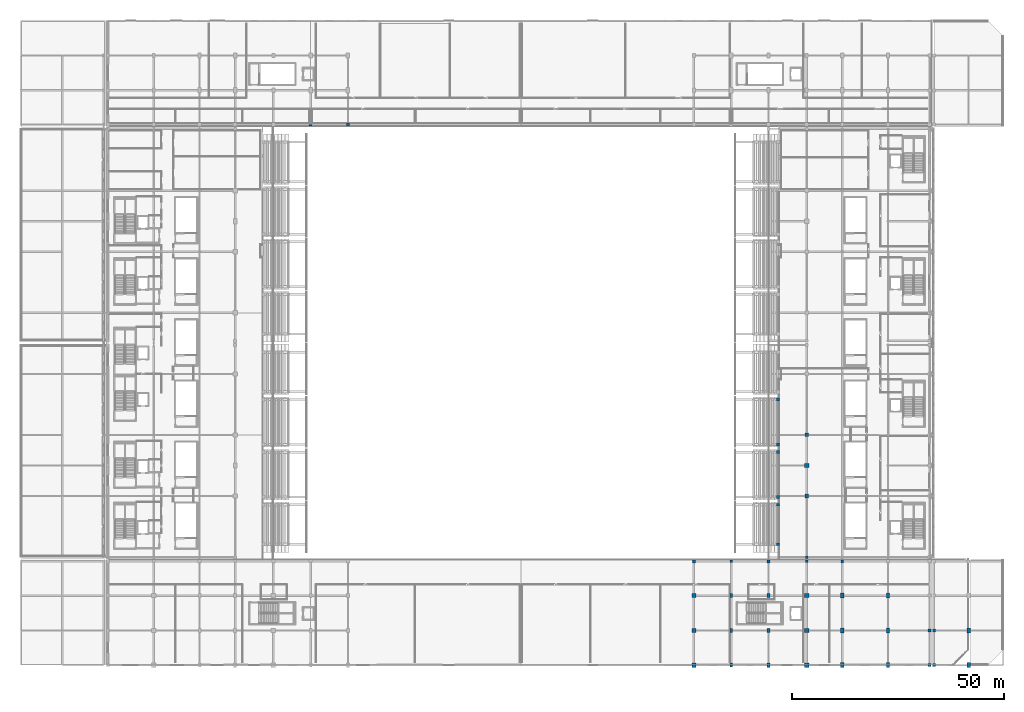
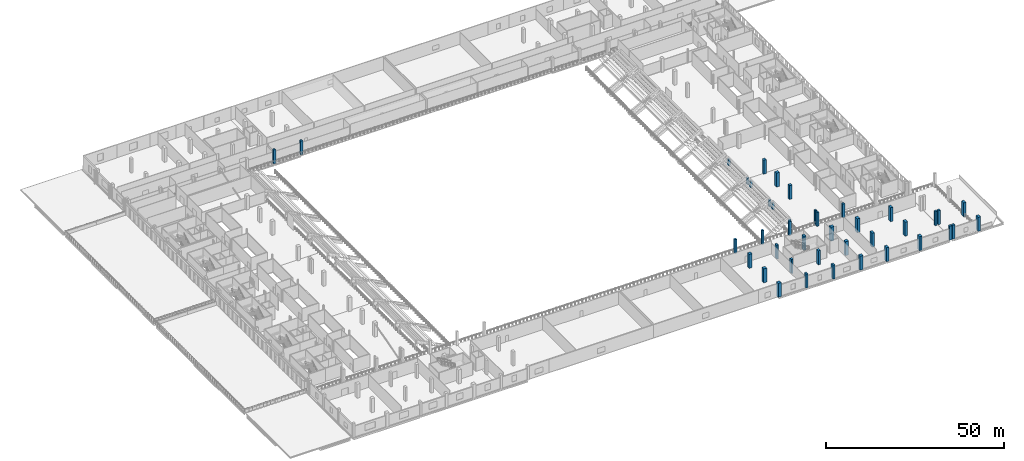
# One storey, part 6 of 74: 41 columns.
"""IFC4 building model written with IfcOpenShell, lengths in metres."""

from ifc_helpers import new_model, si_unit, direction, frame, origin, origin_2d, place, context, subcontext, project, spatial, rectangle, extrude, material, material_profile, profile_set, type_object, element, save


model = new_model("IFC4")

# Units and contexts
model_context = context("Model", 3, precision=1e-05, world=origin(), true_north=direction((0.0, 1.0)))
body_context = subcontext(model_context, "Body", "Model", "MODEL_VIEW")
ifc_project = project(units=[si_unit("LENGTHUNIT", "METRE"), si_unit("AREAUNIT", "SQUARE_METRE"), si_unit("VOLUMEUNIT", "CUBIC_METRE"), si_unit("PLANEANGLEUNIT", "RADIAN"), si_unit("MASSUNIT", "GRAM", prefix="KILO")], contexts=[model_context])

# Site, building, storey
site_placement = place(None, origin())
site = spatial("IfcSite", under=ifc_project, at=site_placement, CompositionType="ELEMENT")
building_placement = place(site_placement, origin())
building = spatial("IfcBuilding", under=site, at=building_placement, Name="Koshinbarg Plaza Stadium", CompositionType="ELEMENT")
storey_placement = place(building_placement, frame((0.0, 0.0, 15.0)))
storey = spatial("IfcBuildingStorey", under=building, at=storey_placement, Name="L03", CompositionType="ELEMENT", Elevation=15.0)

# Columns
ifc_material = material(Name="Concrete C40/50", Category="concrete")
ifc_material_profile_1 = material_profile(ifc_material, rectangle(XDim=0.60009765625, YDim=0.60009765625, at=origin_2d()), Name="RC 600x600")
ifc_profile_set_1 = profile_set([ifc_material_profile_1], Name="Concrete C40/50")
column_type_1 = type_object("IfcColumnType", Name="COL-RC-04", PredefinedType="COLUMN", material=ifc_profile_set_1)
column_placement = place(storey_placement, frame((189.39990234375, 25.5, 0.0), z_axis=(0.0, 0.0, 1.0), x_axis=(1.0, 0.0, 0.0)))
element("IfcColumn", 1, at=column_placement, inside=storey, type_object=column_type_1, Name="L03 column 18/E", PredefinedType="COLUMN", context=body_context, shape_type="SweptSolid", body=[
    extrude(rectangle(XDim=0.60009765625, YDim=0.60009765625, at=origin_2d()), origin(), (0.0, 0.0, 1.0), 4.800048828125),
])
ifc_material_profile_2 = material_profile(ifc_material, rectangle(XDim=0.64990234375, YDim=0.64990234375, at=origin_2d()), Name="RC 650x650")
ifc_profile_set_2 = profile_set([ifc_material_profile_2], Name="Concrete C40/50")
column_type_2 = type_object("IfcColumnType", Name="COL-RC-05", PredefinedType="COLUMN", material=ifc_profile_set_2)
for number, where, z_axis, x_axis, name in (
    (2, (171.60009765625, 24.5, 0.0), (0.0, 0.0, 1.0), (1.0, 0.0, 0.0), "L03 column 16/D"),
    (3, (189.39990234375, 24.5, 0.0), (0.0, 0.0, 1.0), (1.0, 0.0, 0.0), "L03 column 18/D"),
):
    element("IfcColumn", number, at=place(storey_placement, frame(where, z_axis=z_axis, x_axis=x_axis)), inside=storey, type_object=column_type_2, Name=name, PredefinedType="COLUMN", context=body_context, shape_type="SweptSolid", body=[
        extrude(rectangle(XDim=0.64990234375, YDim=0.64990234375, at=origin_2d()), origin(), (0.0, 0.0, 1.0), 4.800048828125),
    ])
for number, where, z_axis, x_axis, name in (
    (4, (182.659912109375, 28.5, 0.0), (0.0, 0.0, 1.0), (1.0, 0.0, 0.0), "L03 bowl raker column UT-E01-L-CB"),
    (5, (182.659912109375, 37.85009765625, 0.0), (0.0, 0.0, 1.0), (1.0, 0.0, 0.0), "L03 bowl raker column UT-E01-R-CB"),
    (6, (182.659912109375, 39.64990234375, 0.0), (0.0, 0.0, 1.0), (1.0, 0.0, 0.0), "L03 bowl raker column UT-E02-L-CB"),
    (7, (182.659912109375, 50.25, 0.0), (0.0, 0.0, 1.0), (1.0, 0.0, 0.0), "L03 bowl raker column UT-E02-R-CB"),
    (8, (182.659912109375, 52.050048828125, 0.0), (0.0, 0.0, 1.0), (1.0, 0.0, 0.0), "L03 bowl raker column UT-E03-L-CB"),
    (9, (182.659912109375, 62.64990234375, 0.0), (0.0, 0.0, 1.0), (1.0, 0.0, 0.0), "L03 bowl raker column UT-E03-R-CB"),
):
    element("IfcColumn", number, at=place(storey_placement, frame(where, z_axis=z_axis, x_axis=x_axis)), inside=storey, type_object=column_type_2, Name=name, PredefinedType="COLUMN", context=body_context, shape_type="SweptSolid", body=[
        extrude(rectangle(XDim=0.64990234375, YDim=0.64990234375, at=origin_2d()), origin(), (0.0, 0.0, 1.0), 2.18798828125),
    ])
ifc_material_profile_3 = material_profile(ifc_material, rectangle(XDim=0.699951171875, YDim=0.699951171875, at=origin_2d()), Name="RC 700x700")
ifc_profile_set_3 = profile_set([ifc_material_profile_3], Name="Concrete C40/50")
column_type_3 = type_object("IfcColumnType", Name="COL-RC-06", PredefinedType="COLUMN", material=ifc_profile_set_3)
for number, where, z_axis, x_axis, name in (
    (10, (72.39990234375, 127.5, 0.0), (0.0, 0.0, 1.0), (1.0, 0.0, 0.0), "L03 column 10/S"),
    (11, (81.199951171875, 127.5, 0.0), (0.0, 0.0, 1.0), (1.0, 0.0, 0.0), "L03 column 11/S"),
    (12, (162.800048828125, 24.5, 0.0), (0.0, 0.0, 1.0), (1.0, 0.0, 0.0), "L03 column 15/D"),
    (13, (180.39990234375, 24.5, 0.0), (0.0, 0.0, 1.0), (1.0, 0.0, 0.0), "L03 column 17/D"),
    (14, (197.800048828125, 24.5, 0.0), (0.0, 0.0, 1.0), (1.0, 0.0, 0.0), "L03 column 19/D"),
    (15, (218.39990234375, 0.0, 0.0), (0.0, 0.0, 1.0), (1.0, 0.0, 0.0), "L03 column 21/A"),
    (16, (218.39990234375, 8.199951171875, 0.0), (0.0, 0.0, 1.0), (1.0, 0.0, 0.0), "L03 column 21/B"),
    (17, (219.39990234375, 0.0, 0.0), (0.0, 0.0, 1.0), (1.0, 0.0, 0.0), "L03 column 22/A"),
    (18, (219.39990234375, 8.199951171875, 0.0), (0.0, 0.0, 1.0), (1.0, 0.0, 0.0), "L03 column 22/B"),
):
    element("IfcColumn", number, at=place(storey_placement, frame(where, z_axis=z_axis, x_axis=x_axis)), inside=storey, type_object=column_type_3, Name=name, PredefinedType="COLUMN", context=body_context, shape_type="SweptSolid", body=[
        extrude(rectangle(XDim=0.699951171875, YDim=0.699951171875, at=origin_2d()), origin(), (0.0, 0.0, 1.0), 4.800048828125),
    ])
ifc_material_profile_4 = material_profile(ifc_material, rectangle(XDim=0.85009765625, YDim=0.85009765625, at=origin_2d()), Name="RC 850x850")
ifc_profile_set_4 = profile_set([ifc_material_profile_4], Name="Concrete C40/50")
column_type_4 = type_object("IfcColumnType", Name="COL-RC-09", PredefinedType="COLUMN", material=ifc_profile_set_4)
for number, where, z_axis, x_axis, name in (
    (19, (189.39990234375, 39.89990234375, 0.0), (0.0, 0.0, 1.0), (1.0, 0.0, 0.0), "L03 column 18/F"),
    (20, (189.39990234375, 54.300048828125, 0.0), (0.0, 0.0, 1.0), (1.0, 0.0, 0.0), "L03 column 18/H"),
):
    element("IfcColumn", number, at=place(storey_placement, frame(where, z_axis=z_axis, x_axis=x_axis)), inside=storey, type_object=column_type_4, Name=name, PredefinedType="COLUMN", context=body_context, shape_type="SweptSolid", body=[
        extrude(rectangle(XDim=0.85009765625, YDim=0.85009765625, at=origin_2d()), origin(), (0.0, 0.0, 1.0), 4.800048828125),
    ])
ifc_material_profile_5 = material_profile(ifc_material, rectangle(XDim=1.0, YDim=1.0, at=origin_2d()), Name="RC 1000x1000")
ifc_profile_set_5 = profile_set([ifc_material_profile_5], Name="Concrete C40/50")
column_type_5 = type_object("IfcColumnType", Name="COL-RC-11", PredefinedType="COLUMN", material=ifc_profile_set_5)
for number, where, z_axis, x_axis, name in (
    (21, (162.800048828125, 0.0, 0.0), (0.0, 0.0, 1.0), (1.0, 0.0, 0.0), "L03 column 15/A"),
    (22, (162.800048828125, 8.199951171875, 0.0), (0.0, 0.0, 1.0), (1.0, 0.0, 0.0), "L03 column 15/B"),
    (23, (162.800048828125, 16.39990234375, 0.0), (0.0, 0.0, 1.0), (1.0, 0.0, 0.0), "L03 column 15/C"),
    (24, (189.39990234375, 0.0, 0.0), (0.0, 0.0, 1.0), (1.0, 0.0, 0.0), "L03 column 18/A"),
    (25, (189.39990234375, 8.199951171875, 0.0), (0.0, 0.0, 1.0), (1.0, 0.0, 0.0), "L03 column 18/B"),
    (26, (189.39990234375, 16.39990234375, 0.0), (0.0, 0.0, 1.0), (1.0, 0.0, 0.0), "L03 column 18/C"),
    (27, (189.39990234375, 47.10009765625, 0.0), (0.0, 0.0, 1.0), (1.0, 0.0, 0.0), "L03 column 18/G"),
):
    element("IfcColumn", number, at=place(storey_placement, frame(where, z_axis=z_axis, x_axis=x_axis)), inside=storey, type_object=column_type_5, Name=name, PredefinedType="COLUMN", context=body_context, shape_type="SweptSolid", body=[
        extrude(rectangle(XDim=1.0, YDim=1.0, at=origin_2d()), origin(), (0.0, 0.0, 1.0), 4.800048828125),
    ])
ifc_material_profile_6 = material_profile(ifc_material, rectangle(XDim=0.60009765625, YDim=0.89990234375, at=origin_2d()), Name="RC 600x900")
ifc_profile_set_6 = profile_set([ifc_material_profile_6], Name="Concrete C40/50")
column_type_6 = type_object("IfcColumnType", Name="COL-RC-12", PredefinedType="COLUMN", material=ifc_profile_set_6)
for number, where, z_axis, x_axis, name in (
    (28, (171.60009765625, 0.0, 0.0), (0.0, 0.0, 1.0), (1.0, 0.0, 0.0), "L03 column 16/A"),
    (29, (171.60009765625, 8.199951171875, 0.0), (0.0, 0.0, 1.0), (1.0, 0.0, 0.0), "L03 column 16/B"),
    (30, (171.60009765625, 16.39990234375, 0.0), (0.0, 0.0, 1.0), (1.0, 0.0, 0.0), "L03 column 16/C"),
):
    element("IfcColumn", number, at=place(storey_placement, frame(where, z_axis=z_axis, x_axis=x_axis)), inside=storey, type_object=column_type_6, Name=name, PredefinedType="COLUMN", context=body_context, shape_type="SweptSolid", body=[
        extrude(rectangle(XDim=0.60009765625, YDim=0.89990234375, at=origin_2d()), origin(), (0.0, 0.0, 1.0), 4.800048828125),
    ])
ifc_material_profile_7 = material_profile(ifc_material, rectangle(XDim=0.699951171875, YDim=1.0, at=origin_2d()), Name="RC 700x1000")
ifc_profile_set_7 = profile_set([ifc_material_profile_7], Name="Concrete C40/50")
column_type_7 = type_object("IfcColumnType", Name="COL-RC-13", PredefinedType="COLUMN", material=ifc_profile_set_7)
for number, where, z_axis, x_axis, name in (
    (31, (180.39990234375, 0.0, 0.0), (0.0, 0.0, 1.0), (1.0, 0.0, 0.0), "L03 column 17/A"),
    (32, (180.39990234375, 8.199951171875, 0.0), (0.0, 0.0, 1.0), (1.0, 0.0, 0.0), "L03 column 17/B"),
    (33, (180.39990234375, 16.39990234375, 0.0), (0.0, 0.0, 1.0), (1.0, 0.0, 0.0), "L03 column 17/C"),
):
    element("IfcColumn", number, at=place(storey_placement, frame(where, z_axis=z_axis, x_axis=x_axis)), inside=storey, type_object=column_type_7, Name=name, PredefinedType="COLUMN", context=body_context, shape_type="SweptSolid", body=[
        extrude(rectangle(XDim=0.699951171875, YDim=1.0, at=origin_2d()), origin(), (0.0, 0.0, 1.0), 4.800048828125),
    ])
ifc_material_profile_8 = material_profile(ifc_material, rectangle(XDim=0.800048828125, YDim=1.199951171875, at=origin_2d()), Name="RC 800x1200")
ifc_profile_set_8 = profile_set([ifc_material_profile_8], Name="Concrete C40/50")
column_type_8 = type_object("IfcColumnType", Name="COL-RC-14", PredefinedType="COLUMN", material=ifc_profile_set_8)
for number, where, z_axis, x_axis, name in (
    (34, (197.800048828125, 0.0, 0.0), (0.0, 0.0, 1.0), (1.0, 0.0, 0.0), "L03 column 19/A"),
    (35, (197.800048828125, 8.199951171875, 0.0), (0.0, 0.0, 1.0), (1.0, 0.0, 0.0), "L03 column 19/B"),
    (36, (197.800048828125, 16.39990234375, 0.0), (0.0, 0.0, 1.0), (1.0, 0.0, 0.0), "L03 column 19/C"),
    (37, (208.60009765625, 0.0, 0.0), (0.0, 0.0, 1.0), (1.0, 0.0, 0.0), "L03 column 20/A"),
    (38, (208.60009765625, 8.199951171875, 0.0), (0.0, 0.0, 1.0), (1.0, 0.0, 0.0), "L03 column 20/B"),
    (39, (208.60009765625, 16.39990234375, 0.0), (0.0, 0.0, 1.0), (1.0, 0.0, 0.0), "L03 column 20/C"),
    (40, (227.60009765625, 0.0, 0.0), (0.0, 0.0, 1.0), (1.0, 0.0, 0.0), "L03 column 23/A"),
    (41, (227.60009765625, 8.199951171875, 0.0), (0.0, 0.0, 1.0), (1.0, 0.0, 0.0), "L03 column 23/B"),
):
    element("IfcColumn", number, at=place(storey_placement, frame(where, z_axis=z_axis, x_axis=x_axis)), inside=storey, type_object=column_type_8, Name=name, PredefinedType="COLUMN", context=body_context, shape_type="SweptSolid", body=[
        extrude(rectangle(XDim=0.800048828125, YDim=1.199951171875, at=origin_2d()), origin(), (0.0, 0.0, 1.0), 4.800048828125),
    ])

save(model, "model.ifc")
